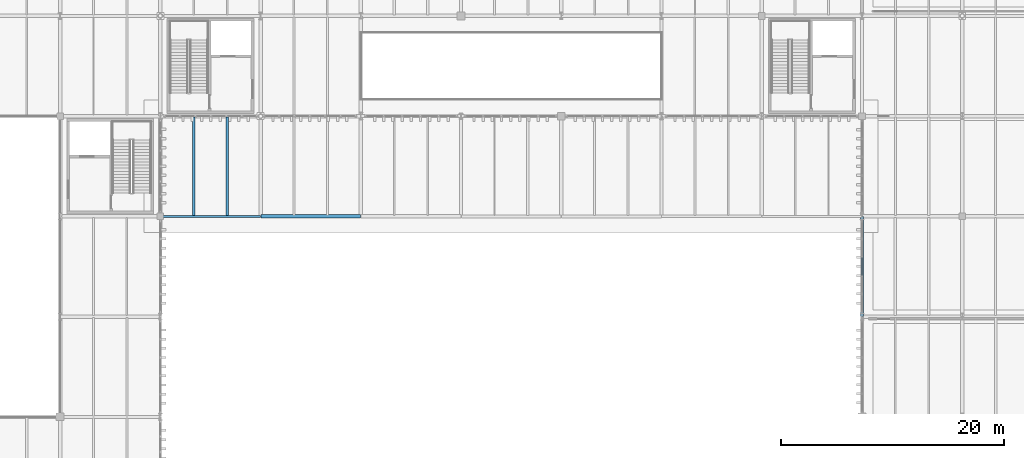
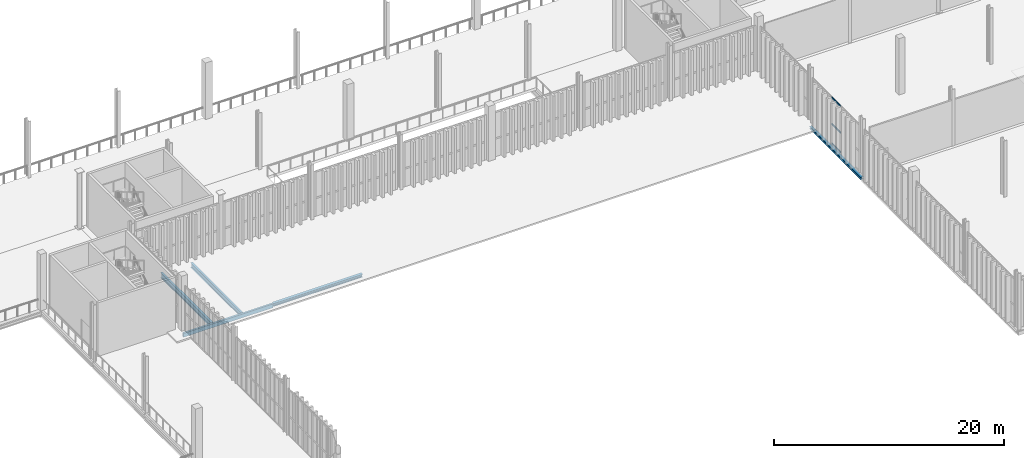
# One storey, part 60 of 211: 5 beams, 3 members, 1 element without a shape of its own.
"""IFC4 building model written with IfcOpenShell, lengths in metres."""

from ifc_helpers import new_model, si_unit, direction, frame, origin, origin_2d, place, context, subcontext, project, spatial, hollow_rectangle, i_section, extrude, material, layer, layer_set, material_profile, profile_set, type_object, element, aggregate, save


model = new_model("IFC4")

# Units and contexts
model_context = context("Model", 3, precision=1e-05, world=origin(), true_north=direction((0.0, 1.0)))
body_context = subcontext(model_context, "Body", "Model", "MODEL_VIEW")
ifc_project = project(units=[si_unit("LENGTHUNIT", "METRE"), si_unit("AREAUNIT", "SQUARE_METRE"), si_unit("VOLUMEUNIT", "CUBIC_METRE"), si_unit("PLANEANGLEUNIT", "RADIAN"), si_unit("MASSUNIT", "GRAM", prefix="KILO")], contexts=[model_context])

# Site, building, storey
site_placement = place(None, origin())
site = spatial("IfcSite", under=ifc_project, at=site_placement, CompositionType="ELEMENT")
building_placement = place(site_placement, origin())
building = spatial("IfcBuilding", under=site, at=building_placement, Name="Barlavento Convention Centre", CompositionType="ELEMENT")
storey_placement = place(building_placement, frame((0.0, 0.0, 6.0)))
storey = spatial("IfcBuildingStorey", under=building, at=storey_placement, Name="L01", CompositionType="ELEMENT", Elevation=6.0)

# Curtain wall, members
ifc_material_1 = material(Name="Powder-coated aluminium and Low-E glass", Category="aluminium")
ifc_layer = layer(ifc_material_1, 0.18994140625)
ifc_layer_set = layer_set([ifc_layer], Name="ARC-CW-BALL-L01")
curtain_wall_type = type_object("IfcCurtainWallType", Name="ARC-CW-BALL-L01", PredefinedType="NOTDEFINED", material=ifc_layer_set)
curtain_wall_placement = place(storey_placement, origin())
curtain_wall = element("IfcCurtainWall", 1, at=curtain_wall_placement, inside=storey, type_object=curtain_wall_type, Name="L01 unitised curtain wall CW06", PredefinedType="NOTDEFINED")
ifc_material_2 = material(Name="Powder-coated aluminium", Category="aluminium")
ifc_material_profile_1 = material_profile(ifc_material_2, hollow_rectangle(XDim=0.06494140625, YDim=0.159912109375, WallThickness=0.0048828125, at=origin_2d()), Name="AL-TRAN 65x160x5")
ifc_profile_set_1 = profile_set([ifc_material_profile_1], Name="Powder-coated aluminium")
member_type = type_object("IfcMemberType", Name="ARC-CWT-65X160", PredefinedType="USERDEFINED", material=ifc_profile_set_1)
member_1_placement = place(storey_placement, frame((126.0, 30.714599609375, 0.032470703125), z_axis=(0.0, 1.0, 0.0), x_axis=(-1.0, 0.0, 0.0)))
member_1 = element("IfcMember", 2, at=member_1_placement, type_object=member_type, Name="CW06 transom 3.1", ObjectType="TRANSOM", PredefinedType="USERDEFINED", context=body_context, shape_type="SweptSolid", body=[
    extrude(hollow_rectangle(XDim=0.06494140625, YDim=0.159912109375, WallThickness=0.0048828125, at=origin_2d()), origin(), (0.0, 0.0, 1.0), 1.580810546875),
])
member_2_placement = place(storey_placement, frame((126.0, 30.714599609375, 2.10009765625), z_axis=(0.0, 1.0, 0.0), x_axis=(-1.0, 0.0, 0.0)))
member_2 = element("IfcMember", 3, at=member_2_placement, type_object=member_type, Name="CW06 transom 3.2", ObjectType="TRANSOM", PredefinedType="USERDEFINED", context=body_context, shape_type="SweptSolid", body=[
    extrude(hollow_rectangle(XDim=0.06494140625, YDim=0.159912109375, WallThickness=0.0048828125, at=origin_2d()), origin(), (0.0, 0.0, 1.0), 1.580810546875),
])
member_3_placement = place(storey_placement, frame((126.0, 30.714599609375, 4.91748046875), z_axis=(0.0, 1.0, 0.0), x_axis=(-1.0, 0.0, 0.0)))
member_3 = element("IfcMember", 4, at=member_3_placement, type_object=member_type, Name="CW06 transom 3.3", ObjectType="TRANSOM", PredefinedType="USERDEFINED", context=body_context, shape_type="SweptSolid", body=[
    extrude(hollow_rectangle(XDim=0.06494140625, YDim=0.159912109375, WallThickness=0.0048828125, at=origin_2d()), origin(), (0.0, 0.0, 1.0), 1.580810546875),
])
aggregate(curtain_wall, [member_1, member_2, member_3])

# Beams
ifc_material_3 = material(Name="Steel S355", Category="steel")
ifc_material_profile_2 = material_profile(ifc_material_3, i_section(OverallWidth=0.199951171875, OverallDepth=0.5, WebThickness=0.01025390625, FlangeThickness=0.01611328125, FilletRadius=0.02099609375, at=origin_2d()), Name="IPE 500")
ifc_profile_set_2 = profile_set([ifc_material_profile_2], Name="Steel S355")
beam_type_1 = type_object("IfcBeamType", Name="STR-BM-JST-IPE500", PredefinedType="JOIST", material=ifc_profile_set_2)
beam_1_placement = place(storey_placement, frame((69.0, 36.094970703125, -0.5400390625), z_axis=(0.0, 1.0, 0.0), x_axis=(-1.0, 0.0, 0.0)))
element("IfcBeam", 5, at=beam_1_placement, inside=storey, type_object=beam_type_1, Name="L01 composite floor joist SJ02", PredefinedType="JOIST", context=body_context, shape_type="SweptSolid", body=[
    extrude(i_section(OverallWidth=0.199951171875, OverallDepth=0.5, WebThickness=0.01025390625, FlangeThickness=0.01611328125, FilletRadius=0.02099609375, at=origin_2d()), origin(), (0.0, 0.0, 1.0), 8.81005859375),
])
ifc_material_profile_3 = material_profile(ifc_material_3, i_section(OverallWidth=0.2099609375, OverallDepth=0.550048828125, WebThickness=0.010986328125, FlangeThickness=0.01708984375, FilletRadius=0.02392578125, at=origin_2d()), Name="IPE 550")
ifc_profile_set_3 = profile_set([ifc_material_profile_3], Name="Steel S355")
beam_type_2 = type_object("IfcBeamType", Name="STR-BM-JST-IPE550", PredefinedType="JOIST", material=ifc_profile_set_3)
beam_2_placement = place(storey_placement, frame((66.0, 36.094970703125, -0.56494140625), z_axis=(0.0, 1.0, 0.0), x_axis=(-1.0, 0.0, 0.0)))
element("IfcBeam", 6, at=beam_2_placement, inside=storey, type_object=beam_type_2, Name="L01 composite floor joist SJ01", PredefinedType="JOIST", context=body_context, shape_type="SweptSolid", body=[
    extrude(i_section(OverallWidth=0.2099609375, OverallDepth=0.550048828125, WebThickness=0.010986328125, FlangeThickness=0.01708984375, FilletRadius=0.02392578125, at=origin_2d()), origin(), (0.0, 0.0, 1.0), 8.81005859375),
])
ifc_material_profile_4 = material_profile(ifc_material_3, i_section(OverallWidth=0.260009765625, OverallDepth=0.25, WebThickness=0.007568359375, FlangeThickness=0.012451171875, FilletRadius=0.02392578125, at=origin_2d()), Name="HEA 260")
ifc_profile_set_4 = profile_set([ifc_material_profile_4], Name="Steel S355")
beam_type_3 = type_object("IfcBeamType", Name="STR-BM-SPN-HEA260", PredefinedType="SPANDREL", material=ifc_profile_set_4)
beam_3_placement = place(storey_placement, frame((126.0, 27.02001953125, -0.485107421875), z_axis=(0.0, 1.0, 0.0), x_axis=(-1.0, 0.0, 0.0)))
element("IfcBeam", 7, at=beam_3_placement, inside=storey, type_object=beam_type_3, Name="L01 grid girder SP04", PredefinedType="SPANDREL", context=body_context, shape_type="SweptSolid", body=[
    extrude(i_section(OverallWidth=0.260009765625, OverallDepth=0.25, WebThickness=0.007568359375, FlangeThickness=0.012451171875, FilletRadius=0.02392578125, at=origin_2d()), origin(), (0.0, 0.0, 1.0), 8.9599609375),
])
ifc_material_profile_5 = material_profile(ifc_material_3, i_section(OverallWidth=0.300048828125, OverallDepth=0.31005859375, WebThickness=0.009033203125, FlangeThickness=0.015380859375, FilletRadius=0.027099609375, at=origin_2d()), Name="HEA 320")
ifc_profile_set_5 = profile_set([ifc_material_profile_5], Name="Steel S355")
beam_type_4 = type_object("IfcBeamType", Name="STR-BM-SPN-HEA320", PredefinedType="SPANDREL", material=ifc_profile_set_5)
beam_4_placement = place(storey_placement, frame((72.02001953125, 36.0, -0.419921875), z_axis=(1.0, 0.0, 0.0), x_axis=(0.0, 1.0, 0.0)))
element("IfcBeam", 8, at=beam_4_placement, inside=storey, type_object=beam_type_4, Name="L01 primary girder SP01", PredefinedType="SPANDREL", context=body_context, shape_type="SweptSolid", body=[
    extrude(i_section(OverallWidth=0.300048828125, OverallDepth=0.31005859375, WebThickness=0.009033203125, FlangeThickness=0.015380859375, FilletRadius=0.027099609375, at=origin_2d()), origin(), (0.0, 0.0, 1.0), 8.9599609375),
])
ifc_material_profile_6 = material_profile(ifc_material_3, hollow_rectangle(XDim=0.199951171875, YDim=0.39990234375, WallThickness=0.01611328125, at=origin_2d()), Name="RHS 400x200x16.0")
ifc_profile_set_6 = profile_set([ifc_material_profile_6], Name="Steel S355")
beam_type_5 = type_object("IfcBeamType", Name="STR-BM-SPN-RHS400", PredefinedType="SPANDREL", material=ifc_profile_set_6)
beam_5_placement = place(storey_placement, frame((63.02001953125, 36.0, -0.5), z_axis=(1.0, 0.0, 0.0), x_axis=(0.0, 1.0, 0.0)))
element("IfcBeam", 9, at=beam_5_placement, inside=storey, type_object=beam_type_5, Name="L01 primary girder SP06", PredefinedType="SPANDREL", context=body_context, shape_type="SweptSolid", body=[
    extrude(hollow_rectangle(XDim=0.199951171875, YDim=0.39990234375, WallThickness=0.01611328125, at=origin_2d()), origin(), (0.0, 0.0, 1.0), 8.9599609375),
])

save(model, "model.ifc")
